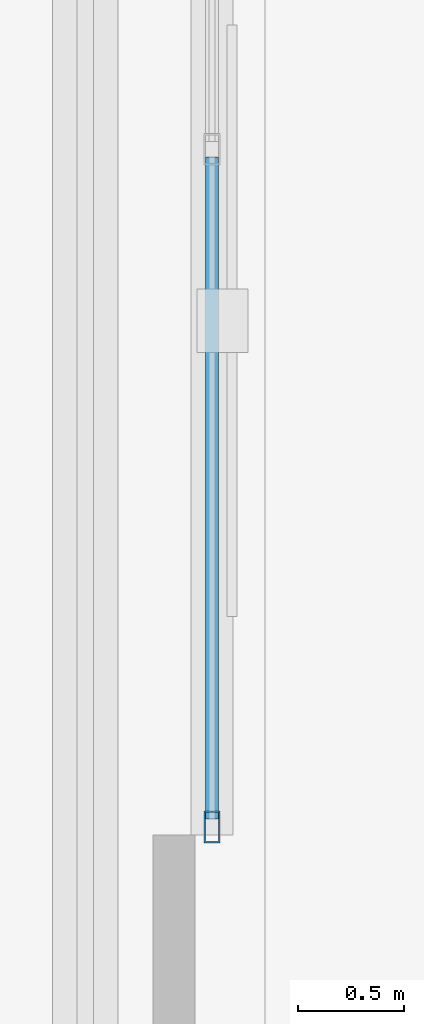
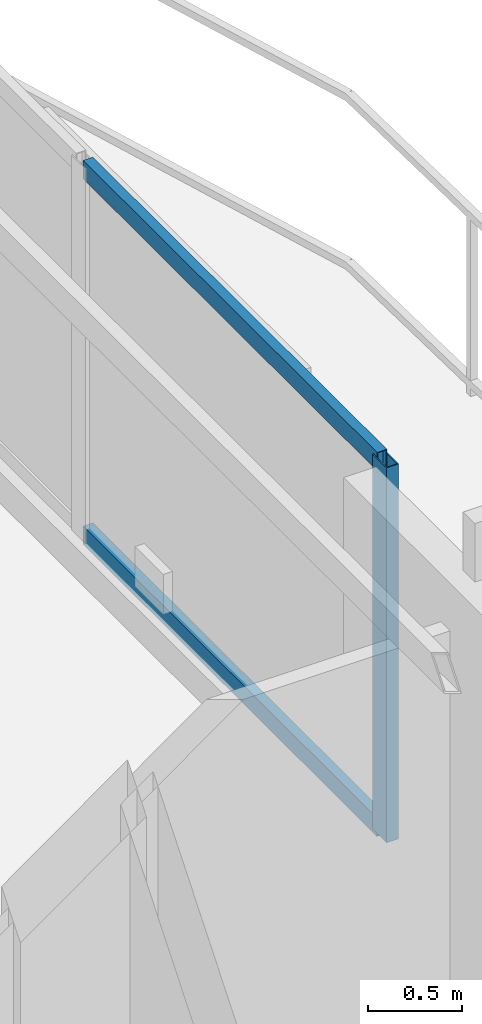
# One storey, part 12 of 22: 3 members, 1 element without a shape of its own.
"""IFC4 building model written with IfcOpenShell, lengths in metres."""

from ifc_helpers import new_model, si_unit, direction, frame, origin, origin_2d, place, context, subcontext, project, spatial, hollow_rectangle, extrude, material, layer, layer_set, material_profile, profile_set, type_object, element, aggregate, save


model = new_model("IFC4")

# Units and contexts
model_context = context("Model", 3, precision=1e-05, world=origin(), true_north=direction((0.0, 1.0)))
body_context = subcontext(model_context, "Body", "Model", "MODEL_VIEW")
ifc_project = project(units=[si_unit("LENGTHUNIT", "METRE"), si_unit("AREAUNIT", "SQUARE_METRE"), si_unit("VOLUMEUNIT", "CUBIC_METRE"), si_unit("PLANEANGLEUNIT", "RADIAN"), si_unit("MASSUNIT", "GRAM", prefix="KILO")], contexts=[model_context])

# Site, building, storey
site_placement = place(None, origin())
site = spatial("IfcSite", under=ifc_project, at=site_placement, CompositionType="ELEMENT")
building_placement = place(site_placement, origin())
building = spatial("IfcBuilding", under=site, at=building_placement, Name="Mersakhor Tower and Convention Hall", CompositionType="ELEMENT")
storey_placement = place(building_placement, frame((0.0, 0.0, 167.39990234375)))
storey = spatial("IfcBuildingStorey", under=building, at=storey_placement, Name="L46", CompositionType="ELEMENT", Elevation=167.39990234375)

# Curtain wall, members
ifc_material_1 = material(Name="Dark solar low-E aluminium curtain wall", Category="aluminium")
ifc_layer = layer(ifc_material_1, 0.169921875)
ifc_layer_set = layer_set([ifc_layer], Name="Dark solar low-E aluminium curtain wall")
curtain_wall_type = type_object("IfcCurtainWallType", Name="CW-SYS-02", PredefinedType="USERDEFINED", material=ifc_layer_set)
curtain_wall_placement = place(storey_placement, origin())
curtain_wall = element("IfcCurtainWall", 1, at=curtain_wall_placement, inside=storey, type_object=curtain_wall_type, Name="L46 Dark-Glass Curtain Wall F2-B2", ObjectType="CURTAIN WALL", PredefinedType="USERDEFINED")
ifc_material_2 = material(Name="Anodised aluminium EN AW-6063 T6", Category="aluminium")
ifc_material_profile_1 = material_profile(ifc_material_2, hollow_rectangle(XDim=0.074951171875, YDim=0.14990234375, WallThickness=0.00634765625, at=origin_2d()), Name="RHS 150x75x6.3")
ifc_profile_set_1 = profile_set([ifc_material_profile_1], Name="Anodised aluminium EN AW-6063 T6")
member_type_1 = type_object("IfcMemberType", Name="CWM-150x75", PredefinedType="MULLION", material=ifc_profile_set_1)
member_1_placement = place(storey_placement, frame((41.40380859375, 21.916259765625, 0.2001953125), z_axis=(0.0, 0.0, 1.0), x_axis=(1.0, 0.0, 0.0)))
member_1 = element("IfcMember", 2, at=member_1_placement, type_object=member_type_1, Name="CW-02 mullion 4", PredefinedType="MULLION", context=body_context, shape_type="SweptSolid", body=[
    extrude(hollow_rectangle(XDim=0.074951171875, YDim=0.14990234375, WallThickness=0.00634765625, at=origin_2d()), origin(), (0.0, 0.0, 1.0), 2.43994140625),
])
ifc_material_3 = material(Name="Anodised aluminium EN AW-6063 T6", Category="aluminium")
ifc_material_profile_2 = material_profile(ifc_material_3, hollow_rectangle(XDim=0.06005859375, YDim=0.1201171875, WallThickness=0.0048828125, at=origin_2d()), Name="RHS 120x60x5")
ifc_profile_set_2 = profile_set([ifc_material_profile_2], Name="Anodised aluminium EN AW-6063 T6")
member_type_2 = type_object("IfcMemberType", Name="CWT-120x60", PredefinedType="USERDEFINED", material=ifc_profile_set_2)
member_2_placement = place(storey_placement, frame((41.40380859375, 25.0888671875, 0.22998046875), z_axis=(0.0, -1.0, 0.0), x_axis=(1.0, 0.0, 0.0)))
member_2 = element("IfcMember", 3, at=member_2_placement, type_object=member_type_2, Name="CW-02 transom 3.1", ObjectType="TRANSOM", PredefinedType="USERDEFINED", context=body_context, shape_type="SweptSolid", body=[
    extrude(hollow_rectangle(XDim=0.06005859375, YDim=0.1201171875, WallThickness=0.0048828125, at=origin_2d()), origin(), (0.0, 0.0, 1.0), 3.135009765625),
])
member_3_placement = place(storey_placement, frame((41.40380859375, 25.0888671875, 2.610107421875), z_axis=(0.0, -1.0, 0.0), x_axis=(1.0, 0.0, 0.0)))
member_3 = element("IfcMember", 4, at=member_3_placement, type_object=member_type_2, Name="CW-02 transom 3.2", ObjectType="TRANSOM", PredefinedType="USERDEFINED", context=body_context, shape_type="SweptSolid", body=[
    extrude(hollow_rectangle(XDim=0.06005859375, YDim=0.1201171875, WallThickness=0.0048828125, at=origin_2d()), origin(), (0.0, 0.0, 1.0), 3.135009765625),
])
aggregate(curtain_wall, [member_1, member_2, member_3])

save(model, "model.ifc")
